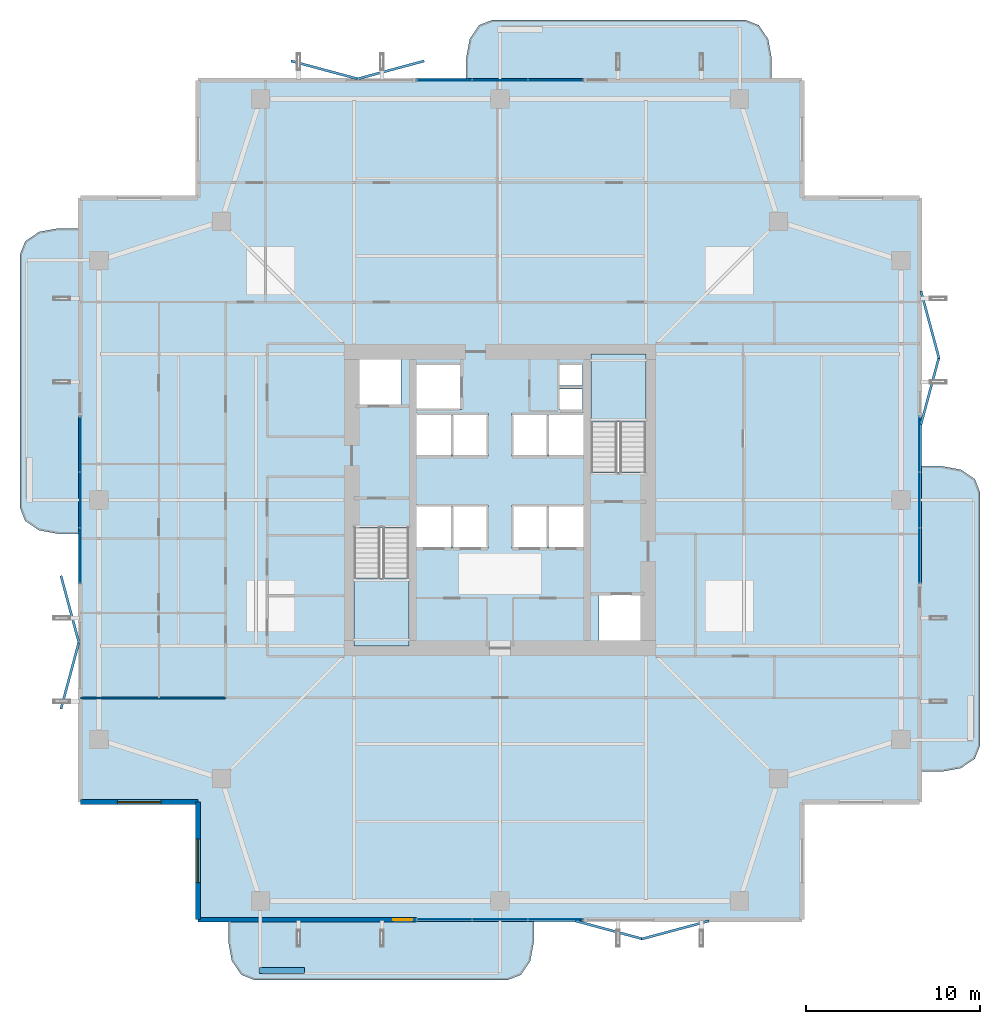
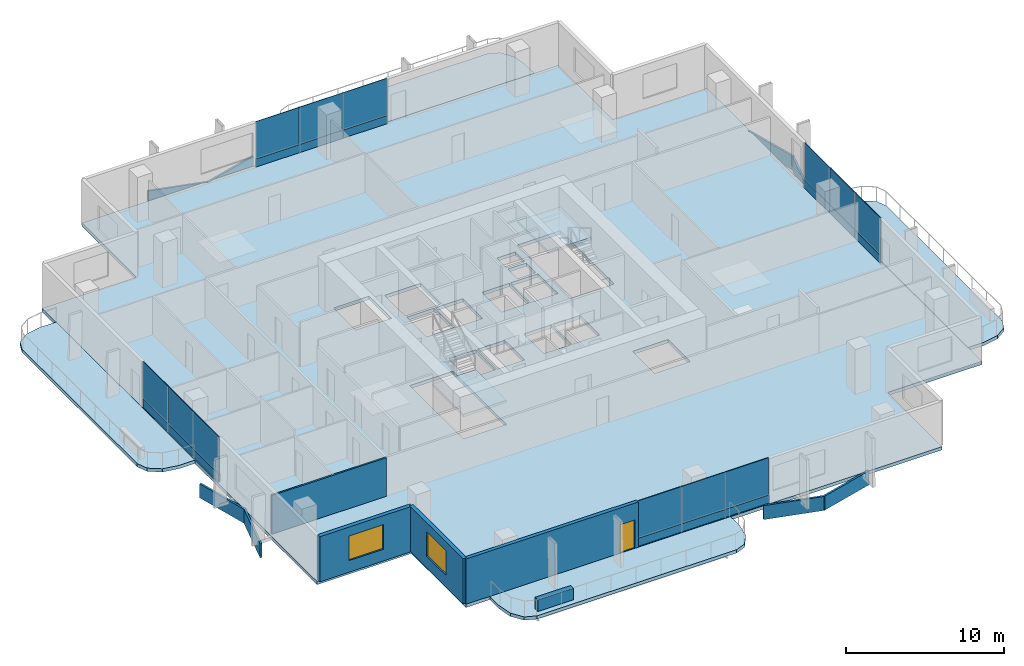
# One storey, part 18 of 25: 32 plates, 7 slabs, 5 walls, 2 windows, 1 door, 3 openings, 6 elements without a shape of their own.
"""IFC4 building model written with IfcOpenShell, lengths in metres."""

import ifcopenshell
import ifcopenshell.guid

model = None  # the IFC model being written
_history = None  # IfcOwnerHistory: only IFC2X3 demands one
_inside = {}  # id of a spatial element -> (the spatial element, [elements in it])
_under = {}  # id of a project, library or spatial element -> (it, [spatial elements below it])
_declared = {}  # id of a project -> (the project, [libraries it declares])
_typed = {}  # id of a type object -> (the type object, [elements of that type])
_made_of = {}  # id of a material, layer set ... -> (it, [elements and type objects made of it])


def new_model(schema):
    """Start an empty IFC model of exactly this schema.

    Asked for "IFC4X3", IfcOpenShell would pick the latest addendum, in which some entities
    have other attributes; the version numbers below select the first issue.
    IFC2X3 requires an IfcOwnerHistory on every rooted entity: one is made here for all.
    """
    global model, _history
    if schema == "IFC4X3":
        model = ifcopenshell.file(schema_version=(4, 3, 0, 0))
    else:
        model = ifcopenshell.file(schema=schema)
    _inside.clear()
    _under.clear()
    _declared.clear()
    _typed.clear()
    _made_of.clear()
    _history = None
    if model.schema == "IFC2X3":
        org = make("IfcOrganization", Name="unknown")
        user = make(
            "IfcPersonAndOrganization",
            ThePerson=make("IfcPerson", FamilyName="unknown"),
            TheOrganization=org,
        )
        app = make(
            "IfcApplication",
            ApplicationDeveloper=org,
            Version="unknown",
            ApplicationFullName="unknown",
            ApplicationIdentifier="unknown",
        )
        _history = make(
            "IfcOwnerHistory",
            OwningUser=user,
            OwningApplication=app,
            ChangeAction="ADDED",
            CreationDate=0,
        )
    return model


def make(cls, **values):
    """One entity of the class cls with the attributes given. An attribute that is None is left unset."""
    return model.create_entity(
        cls, **{name: value for name, value in values.items() if value is not None}
    )


def rooted(cls, **values):
    """An entity with a GlobalId (a new one), such as an element, a storey or a relation."""
    return make(cls, GlobalId=ifcopenshell.guid.new(), OwnerHistory=_history, **values)


def si_unit(unit_type, name, prefix=None):
    """IfcSIUnit, for example si_unit("LENGTHUNIT", "METRE", prefix="MILLI")."""
    return make("IfcSIUnit", UnitType=unit_type, Prefix=prefix, Name=name)


def assignment(units):
    """IfcUnitAssignment: the units of a project."""
    return None if units is None else make("IfcUnitAssignment", Units=units)


def point(xyz):
    """IfcCartesianPoint."""
    return None if xyz is None else make("IfcCartesianPoint", Coordinates=xyz)


def direction(xyz):
    """IfcDirection."""
    return None if xyz is None else make("IfcDirection", DirectionRatios=xyz)


def frame(location, z_axis=None, x_axis=None):
    """IfcAxis2Placement3D, a coordinate frame: its origin and axes. An axis left out is left unset."""
    return make(
        "IfcAxis2Placement3D",
        Location=point(location),
        Axis=direction(z_axis),
        RefDirection=direction(x_axis),
    )


def frame_2d(location, x_axis=None):
    """IfcAxis2Placement2D, a coordinate frame in the plane: its origin and x axis."""
    return make(
        "IfcAxis2Placement2D", Location=point(location), RefDirection=direction(x_axis)
    )


def origin():
    """The frame at (0, 0, 0) with its axes left unset."""
    return frame((0.0, 0.0, 0.0))


def origin_2d():
    """The frame at (0, 0) in the plane with its x axis left unset."""
    return frame_2d((0.0, 0.0))


def place(relative_to, where):
    """IfcLocalPlacement: puts the frame where relative to a parent placement (None: the world)."""
    return make(
        "IfcLocalPlacement", PlacementRelTo=relative_to, RelativePlacement=where
    )


def context(
    kind, dimensions, precision=None, world=None, true_north=None, identifier=None
):
    """IfcGeometricRepresentationContext, for example the 3D "Model" context."""
    return make(
        "IfcGeometricRepresentationContext",
        ContextIdentifier=identifier,
        ContextType=kind,
        CoordinateSpaceDimension=dimensions,
        Precision=precision,
        WorldCoordinateSystem=world,
        TrueNorth=true_north,
    )


def subcontext(parent, identifier, kind, view, scale=None):
    """IfcGeometricRepresentationSubContext, for example "Body" below "Model"."""
    return make(
        "IfcGeometricRepresentationSubContext",
        ContextIdentifier=identifier,
        ContextType=kind,
        ParentContext=parent,
        TargetScale=scale,
        TargetView=view,
    )


def project(units=None, contexts=None):
    """IfcProject with its units and contexts."""
    return rooted(
        "IfcProject",
        Name="project",
        RepresentationContexts=contexts,
        UnitsInContext=assignment(units),
    )


def spatial(cls, under=None, at=None, **own):
    """A site, building, storey or space (cls), placed at a placement, below another one or the project."""
    s = rooted(cls, ObjectPlacement=at, **own)
    if under is not None:
        _under.setdefault(under.id(), (under, []))[1].append(s)
    return s


def polyline(points):
    """IfcPolyline through the points."""
    return make("IfcPolyline", Points=[point(p) for p in points])


def profile(cls, at=None, kind="AREA", **sizes):
    """A parametric profile (cls). Its sizes go by their IFC names, for example OverallWidth=200.0."""
    return make(cls, ProfileType=kind, Position=at, **sizes)


def rectangle(**sizes):
    """IfcRectangleProfileDef."""
    return profile("IfcRectangleProfileDef", **sizes)


def outline(outer, holes=None, kind="AREA"):
    """IfcArbitraryClosedProfileDef: a profile drawn as a closed curve; with holes, ...WithVoids."""
    if holes is None:
        return make("IfcArbitraryClosedProfileDef", ProfileType=kind, OuterCurve=outer)
    return make(
        "IfcArbitraryProfileDefWithVoids",
        ProfileType=kind,
        OuterCurve=outer,
        InnerCurves=holes,
    )


def extrude(swept, where, along, depth):
    """IfcExtrudedAreaSolid: the profile swept, set in the frame where, extruded along a direction by depth."""
    return make(
        "IfcExtrudedAreaSolid",
        SweptArea=swept,
        Position=where,
        ExtrudedDirection=direction(along),
        Depth=depth,
    )


def shape(context_of_items, identifier, shape_type, items):
    """IfcShapeRepresentation: the items that make up one representation, for example the "Body"."""
    return make(
        "IfcShapeRepresentation",
        ContextOfItems=context_of_items,
        RepresentationIdentifier=identifier,
        RepresentationType=shape_type,
        Items=items,
    )


def material(Name=None, Category=None):
    """IfcMaterial."""
    return make("IfcMaterial", Name=Name, Category=Category)


def layer(
    of_material, thickness, ventilated=None, Name=None, Category=None, Priority=None
):
    """IfcMaterialLayer: one layer of a wall or slab, of a material (None: an air gap)."""
    return make(
        "IfcMaterialLayer",
        Material=of_material,
        LayerThickness=thickness,
        IsVentilated=ventilated,
        Name=Name,
        Category=Category,
        Priority=Priority,
    )


def layer_set(layers, Name=None):
    """IfcMaterialLayerSet."""
    return make("IfcMaterialLayerSet", MaterialLayers=layers, LayerSetName=Name)


def made_of(thing, what):
    """Note that an element or type object is made of a material, layer set ...; save() writes the relation."""
    if what is not None:
        _made_of.setdefault(what.id(), (what, []))[1].append(thing)
    return thing


def type_object(cls, material=None, **own):
    """A type object (cls), such as IfcWallType, which elements share."""
    return made_of(rooted(cls, **own), material)


def element(
    cls,
    number,
    at=None,
    inside=None,
    cuts=None,
    type_object=None,
    material=None,
    context=None,
    identifier="Body",
    shape_type=None,
    held_by="IfcProductDefinitionShape",
    body=None,
    shapes=None,
    **own,
):
    """One element of the class cls, such as IfcWall. Its Tag is "e" and its number.

    at: its placement. inside: the storey or other place that contains it. cuts: it is an
    opening in that element (IfcRelVoidsElement). A single representation is given by context,
    identifier, shape_type and body (its items); several are given by shapes. held_by: the class
    of the entity that holds the representations. save() writes the other relations.
    """
    e = rooted(cls, Tag="e%d" % number, ObjectPlacement=at, **own)
    if body is not None:
        shapes = [shape(context, identifier, shape_type, body)]
    if shapes is not None:
        e.Representation = make(held_by, Representations=shapes)
    if inside is not None:
        _inside.setdefault(inside.id(), (inside, []))[1].append(e)
    if cuts is not None:
        rooted(
            "IfcRelVoidsElement", RelatingBuildingElement=cuts, RelatedOpeningElement=e
        )
    if type_object is not None:
        _typed.setdefault(type_object.id(), (type_object, []))[1].append(e)
    return made_of(e, material)


def fill(opening, filler):
    """IfcRelFillsElement: the door or window that sits in an opening."""
    return rooted(
        "IfcRelFillsElement",
        RelatingOpeningElement=opening,
        RelatedBuildingElement=filler,
    )


def aggregate(whole, parts):
    """IfcRelAggregates: a whole, such as a stair, and the parts it consists of."""
    return rooted("IfcRelAggregates", RelatingObject=whole, RelatedObjects=parts)


def save(model, path):
    """Write the relations noted so far, then the file.

    IfcRelAggregates (storeys below a building ...), IfcRelContainedInSpatialStructure (elements
    in a storey), IfcRelDefinesByType, IfcRelAssociatesMaterial and IfcRelDeclares: one each for
    every whole, place, type object, material and project.
    """
    for whole, parts in _under.values():
        aggregate(whole, parts)
    for where, things in _inside.values():
        rooted(
            "IfcRelContainedInSpatialStructure",
            RelatedElements=things,
            RelatingStructure=where,
        )
    for kind, things in _typed.values():
        rooted("IfcRelDefinesByType", RelatedObjects=things, RelatingType=kind)
    for what, things in _made_of.values():
        rooted("IfcRelAssociatesMaterial", RelatedObjects=things, RelatingMaterial=what)
    for by, libraries in _declared.values():
        rooted("IfcRelDeclares", RelatingContext=by, RelatedDefinitions=libraries)
    model.write(path)


model = new_model("IFC4")

# Units and contexts
model_context = context("Model", 3, precision=1e-05, world=origin(), true_north=direction((0.0, 1.0)))
body_context = subcontext(model_context, "Body", "Model", "MODEL_VIEW")
ifc_project = project(units=[si_unit("LENGTHUNIT", "METRE"), si_unit("AREAUNIT", "SQUARE_METRE"), si_unit("VOLUMEUNIT", "CUBIC_METRE"), si_unit("PLANEANGLEUNIT", "RADIAN"), si_unit("MASSUNIT", "GRAM", prefix="KILO")], contexts=[model_context])

# Site, building, storey
site_placement = place(None, origin())
site = spatial("IfcSite", under=ifc_project, at=site_placement, CompositionType="ELEMENT")
building_placement = place(site_placement, origin())
building = spatial("IfcBuilding", under=site, at=building_placement, Name="Belovzor Exchange Tower", CompositionType="ELEMENT")
storey_placement = place(building_placement, frame((0.0, 0.0, 172.050048828125)))
storey = spatial("IfcBuildingStorey", under=building, at=storey_placement, Name="L42", CompositionType="ELEMENT", Elevation=172.050048828125)

# Slab
ifc_material_1 = material(Name="Concrete C40/50", Category="concrete")
ifc_layer_1 = layer(ifc_material_1, 0.2548828125)
ifc_layer_set_1 = layer_set([ifc_layer_1], Name="Concrete C40/50")
slab_type_1 = type_object("IfcSlabType", Name="Composite Waist Floor Deck Slab 255", PredefinedType="FLOOR", material=ifc_layer_set_1)
slab_1_placement = place(storey_placement, frame((0.0, 0.0, -0.255126953125)))
element("IfcSlab", 1, at=slab_1_placement, inside=storey, type_object=slab_type_1, Name="SL-F255 Structural Slab L42", PredefinedType="FLOOR", context=body_context, shape_type="SweptSolid", body=[
    extrude(outline(polyline([(11.39990234375, 4.5), (46.199951171875, 4.5), (46.199951171875, 11.39990234375), (53.10009765625, 11.39990234375), (53.10009765625, 46.199951171875), (46.199951171875, 46.199951171875), (46.199951171875, 53.10009765625), (11.39990234375, 53.10009765625), (11.39990234375, 46.199951171875), (4.5, 46.199951171875), (4.5, 11.39990234375), (11.39990234375, 11.39990234375), (11.39990234375, 4.5)]), holes=[polyline([(20.39990234375, 27.175048828125), (20.39990234375, 20.39990234375), (23.550048828125, 20.39990234375), (23.550048828125, 27.175048828125), (20.39990234375, 27.175048828125)]), polyline([(37.199951171875, 30.425048828125), (37.199951171875, 37.199951171875), (34.050048828125, 37.199951171875), (34.050048828125, 30.425048828125), (37.199951171875, 30.425048828125)]), polyline([(20.5, 34.199951171875), (23.10009765625, 34.199951171875), (23.10009765625, 37.0), (20.5, 37.0), (20.5, 34.199951171875)]), polyline([(34.5, 20.60009765625), (37.10009765625, 20.60009765625), (37.10009765625, 23.39990234375), (34.5, 23.39990234375), (34.5, 20.60009765625)]), polyline([(24.0, 34.0), (26.60009765625, 34.0), (26.60009765625, 36.60009765625), (24.0, 36.60009765625), (24.0, 34.0)]), polyline([(24.0, 26.0), (26.0, 26.0), (26.0, 28.5), (24.0, 28.5), (24.0, 26.0)]), polyline([(26.10009765625, 26.0), (28.10009765625, 26.0), (28.10009765625, 28.5), (26.10009765625, 28.5), (26.10009765625, 26.0)]), polyline([(29.5, 26.0), (31.5, 26.0), (31.5, 28.5), (29.5, 28.5), (29.5, 26.0)]), polyline([(31.60009765625, 26.0), (33.60009765625, 26.0), (33.60009765625, 28.5), (31.60009765625, 28.5), (31.60009765625, 26.0)]), polyline([(24.0, 31.300048828125), (26.0, 31.300048828125), (26.0, 33.800048828125), (24.0, 33.800048828125), (24.0, 31.300048828125)]), polyline([(26.10009765625, 31.300048828125), (28.10009765625, 31.300048828125), (28.10009765625, 33.800048828125), (26.10009765625, 33.800048828125), (26.10009765625, 31.300048828125)]), polyline([(29.5, 31.300048828125), (31.5, 31.300048828125), (31.5, 33.800048828125), (29.5, 33.800048828125), (29.5, 31.300048828125)]), polyline([(31.60009765625, 31.300048828125), (33.60009765625, 31.300048828125), (33.60009765625, 33.800048828125), (31.60009765625, 33.800048828125), (31.60009765625, 31.300048828125)]), polyline([(32.199951171875, 34.0), (33.550048828125, 34.0), (33.550048828125, 35.199951171875), (32.199951171875, 35.199951171875), (32.199951171875, 34.0)]), polyline([(32.199951171875, 35.39990234375), (33.550048828125, 35.39990234375), (33.550048828125, 36.60009765625), (32.199951171875, 36.60009765625), (32.199951171875, 35.39990234375)])]), origin(), (0.0, 0.0, 1.0), 0.255126953125),
])

# Curtain wall, plates
ifc_material_2 = material(Name="Anodised Aluminium Framing", Category="aluminium")
ifc_layer_2 = layer(ifc_material_2, 0.179931640625)
ifc_layer_set_2 = layer_set([ifc_layer_2], Name="Anodised Aluminium Framing")
curtain_wall_type = type_object("IfcCurtainWallType", Name="Recessed Loggia Low-Iron Triple-Glazed Curtain Wall", PredefinedType="NOTDEFINED", material=ifc_layer_set_2)
curtain_wall_1_placement = place(storey_placement, origin())
curtain_wall_1 = element("IfcCurtainWall", 2, at=curtain_wall_1_placement, inside=storey, type_object=curtain_wall_type, Name="CW3 Recessed Loggia Low-Iron Triple-Glazed Curtain Wall L42", PredefinedType="NOTDEFINED")
ifc_material_3 = material(Name="Solar-Control Triple Glazing", Category="glass")
ifc_layer_3 = layer(ifc_material_3, 0.0439453125)
ifc_layer_set_3 = layer_set([ifc_layer_3], Name="Solar-Control Triple Glazing")
plate_type_1 = type_object("IfcPlateType", Name="Insulated Solar Glazing Curtain Panel 44", PredefinedType="CURTAIN_PANEL", material=ifc_layer_set_3)
plate_1_placement = place(storey_placement, frame((32.0, 4.6298828125, 0.630859375), z_axis=(0.0, 0.0, 1.0), x_axis=(-1.0, 0.0, 0.0)))
plate_1 = element("IfcPlate", 3, at=plate_1_placement, type_object=plate_type_1, Name="GLZ-44 Glazed Curtain Panel 1", PredefinedType="CURTAIN_PANEL", context=body_context, shape_type="SweptSolid", body=[
    extrude(rectangle(XDim=3.18408203125, YDim=0.0439453125, at=origin_2d()), origin(), (0.0, 0.0, 1.0), 2.864013671875),
])
plate_2_placement = place(storey_placement, frame((28.800048828125, 4.6298828125, 0.630859375), z_axis=(0.0, 0.0, 1.0), x_axis=(-1.0, 0.0, 0.0)))
plate_2 = element("IfcPlate", 4, at=plate_2_placement, type_object=plate_type_1, Name="GLZ-44 Glazed Curtain Panel 2", PredefinedType="CURTAIN_PANEL", context=body_context, shape_type="SweptSolid", body=[
    extrude(rectangle(XDim=3.18408203125, YDim=0.0439453125, at=origin_2d()), origin(), (0.0, 0.0, 1.0), 2.864013671875),
])
plate_3_placement = place(storey_placement, frame((25.60009765625, 4.6298828125, 0.630859375), z_axis=(0.0, 0.0, 1.0), x_axis=(-1.0, 0.0, 0.0)))
plate_3 = element("IfcPlate", 5, at=plate_3_placement, type_object=plate_type_1, Name="GLZ-44 Glazed Curtain Panel 3", PredefinedType="CURTAIN_PANEL", context=body_context, shape_type="SweptSolid", body=[
    extrude(rectangle(XDim=3.18408203125, YDim=0.0439453125, at=origin_2d()), origin(), (0.0, 0.0, 1.0), 2.864013671875),
])

curtain_wall_2_placement = place(storey_placement, origin())
curtain_wall_2 = element("IfcCurtainWall", 6, at=curtain_wall_2_placement, inside=storey, type_object=curtain_wall_type, Name="CW3 Recessed Loggia Low-Iron Triple-Glazed Curtain Wall L42", PredefinedType="NOTDEFINED")
plate_4_placement = place(storey_placement, frame((25.60009765625, 52.969970703125, 0.630859375), z_axis=(0.0, 0.0, 1.0), x_axis=(1.0, 0.0, 0.0)))
plate_4 = element("IfcPlate", 7, at=plate_4_placement, type_object=plate_type_1, Name="GLZ-44 Glazed Curtain Panel 1", PredefinedType="CURTAIN_PANEL", context=body_context, shape_type="SweptSolid", body=[
    extrude(rectangle(XDim=3.18408203125, YDim=0.0439453125, at=origin_2d()), origin(), (0.0, 0.0, 1.0), 2.864013671875),
])
plate_5_placement = place(storey_placement, frame((28.800048828125, 52.969970703125, 0.630859375), z_axis=(0.0, 0.0, 1.0), x_axis=(1.0, 0.0, 0.0)))
plate_5 = element("IfcPlate", 8, at=plate_5_placement, type_object=plate_type_1, Name="GLZ-44 Glazed Curtain Panel 2", PredefinedType="CURTAIN_PANEL", context=body_context, shape_type="SweptSolid", body=[
    extrude(rectangle(XDim=3.18408203125, YDim=0.0439453125, at=origin_2d()), origin(), (0.0, 0.0, 1.0), 2.864013671875),
])
plate_6_placement = place(storey_placement, frame((32.0, 52.969970703125, 0.630859375), z_axis=(0.0, 0.0, 1.0), x_axis=(1.0, 0.0, 0.0)))
plate_6 = element("IfcPlate", 9, at=plate_6_placement, type_object=plate_type_1, Name="GLZ-44 Glazed Curtain Panel 3", PredefinedType="CURTAIN_PANEL", context=body_context, shape_type="SweptSolid", body=[
    extrude(rectangle(XDim=3.18408203125, YDim=0.0439453125, at=origin_2d()), origin(), (0.0, 0.0, 1.0), 2.864013671875),
])

curtain_wall_3_placement = place(storey_placement, origin())
curtain_wall_3 = element("IfcCurtainWall", 10, at=curtain_wall_3_placement, inside=storey, type_object=curtain_wall_type, Name="CW3 Recessed Loggia Low-Iron Triple-Glazed Curtain Wall L42", PredefinedType="NOTDEFINED")
plate_7_placement = place(storey_placement, frame((4.6298828125, 25.60009765625, 0.630859375), z_axis=(0.0, 0.0, 1.0), x_axis=(0.0, 1.0, 0.0)))
plate_7 = element("IfcPlate", 11, at=plate_7_placement, type_object=plate_type_1, Name="GLZ-44 Glazed Curtain Panel 1", PredefinedType="CURTAIN_PANEL", context=body_context, shape_type="SweptSolid", body=[
    extrude(rectangle(XDim=3.18408203125, YDim=0.0439453125, at=origin_2d()), origin(), (0.0, 0.0, 1.0), 2.864013671875),
])
plate_8_placement = place(storey_placement, frame((4.6298828125, 28.800048828125, 0.630859375), z_axis=(0.0, 0.0, 1.0), x_axis=(0.0, 1.0, 0.0)))
plate_8 = element("IfcPlate", 12, at=plate_8_placement, type_object=plate_type_1, Name="GLZ-44 Glazed Curtain Panel 2", PredefinedType="CURTAIN_PANEL", context=body_context, shape_type="SweptSolid", body=[
    extrude(rectangle(XDim=3.18408203125, YDim=0.0439453125, at=origin_2d()), origin(), (0.0, 0.0, 1.0), 2.864013671875),
])
plate_9_placement = place(storey_placement, frame((4.6298828125, 32.0, 0.630859375), z_axis=(0.0, 0.0, 1.0), x_axis=(0.0, 1.0, 0.0)))
plate_9 = element("IfcPlate", 13, at=plate_9_placement, type_object=plate_type_1, Name="GLZ-44 Glazed Curtain Panel 3", PredefinedType="CURTAIN_PANEL", context=body_context, shape_type="SweptSolid", body=[
    extrude(rectangle(XDim=3.18408203125, YDim=0.0439453125, at=origin_2d()), origin(), (0.0, 0.0, 1.0), 2.864013671875),
])

curtain_wall_4_placement = place(storey_placement, origin())
curtain_wall_4 = element("IfcCurtainWall", 14, at=curtain_wall_4_placement, inside=storey, type_object=curtain_wall_type, Name="CW3 Recessed Loggia Low-Iron Triple-Glazed Curtain Wall L42", PredefinedType="NOTDEFINED")
plate_10_placement = place(storey_placement, frame((52.969970703125, 32.0, 0.630859375), z_axis=(0.0, 0.0, 1.0), x_axis=(0.0, -1.0, 0.0)))
plate_10 = element("IfcPlate", 15, at=plate_10_placement, type_object=plate_type_1, Name="GLZ-44 Glazed Curtain Panel 1", PredefinedType="CURTAIN_PANEL", context=body_context, shape_type="SweptSolid", body=[
    extrude(rectangle(XDim=3.18408203125, YDim=0.0439453125, at=origin_2d()), origin(), (0.0, 0.0, 1.0), 2.864013671875),
])
plate_11_placement = place(storey_placement, frame((52.969970703125, 28.800048828125, 0.630859375), z_axis=(0.0, 0.0, 1.0), x_axis=(0.0, -1.0, 0.0)))
plate_11 = element("IfcPlate", 16, at=plate_11_placement, type_object=plate_type_1, Name="GLZ-44 Glazed Curtain Panel 2", PredefinedType="CURTAIN_PANEL", context=body_context, shape_type="SweptSolid", body=[
    extrude(rectangle(XDim=3.18408203125, YDim=0.0439453125, at=origin_2d()), origin(), (0.0, 0.0, 1.0), 2.864013671875),
])
plate_12_placement = place(storey_placement, frame((52.969970703125, 25.60009765625, 0.630859375), z_axis=(0.0, 0.0, 1.0), x_axis=(0.0, -1.0, 0.0)))
plate_12 = element("IfcPlate", 17, at=plate_12_placement, type_object=plate_type_1, Name="GLZ-44 Glazed Curtain Panel 3", PredefinedType="CURTAIN_PANEL", context=body_context, shape_type="SweptSolid", body=[
    extrude(rectangle(XDim=3.18408203125, YDim=0.0439453125, at=origin_2d()), origin(), (0.0, 0.0, 1.0), 2.864013671875),
])

# Plates
ifc_material_4 = material(Name="Extruded Architectural Terracotta", Category="masonry")
ifc_layer_4 = layer(ifc_material_4, 0.139892578125)
ifc_layer_set_4 = layer_set([ifc_layer_4], Name="Extruded Architectural Terracotta")
plate_type_2 = type_object("IfcPlateType", Name="Mid-Tower Folded Zigzag Terracotta Spandrel Louvre 120", PredefinedType="USERDEFINED", material=ifc_layer_set_4)
for number, where, z_axis, x_axis, name in (
    (18, (18.699951171875, 53.570068359375, -1.065185546875), (0.0, 0.0, 1.0), (0.965812803231, -0.259240485101, 0.0), "LVR-ZZ2 Zigzag Terracotta Spandrel Louvre L42 N1A"),
    (19, (22.5, 53.570068359375, -1.065185546875), (0.0, 0.0, 1.0), (0.965812803231, 0.259240485101, 0.0), "LVR-ZZ2 Zigzag Terracotta Spandrel Louvre L42 N1B"),
    (20, (4.030029296875, 18.699951171875, -1.065185546875), (0.0, 0.0, 1.0), (0.259240485101, 0.965812803231, 0.0), "LVR-ZZ2 Zigzag Terracotta Spandrel Louvre L42 W1A"),
    (21, (4.030029296875, 22.5, -1.065185546875), (0.0, 0.0, 1.0), (-0.259240485101, 0.965812803231, 0.0), "LVR-ZZ2 Zigzag Terracotta Spandrel Louvre L42 W1B"),
    (22, (35.10009765625, 4.030029296875, -1.065185546875), (0.0, 0.0, 1.0), (0.965812803231, -0.259240485101, 0.0), "LVR-ZZ2 Zigzag Terracotta Spandrel Louvre L42 S2A"),
    (23, (38.89990234375, 4.030029296875, -1.065185546875), (0.0, 0.0, 1.0), (0.965812803231, 0.259240485101, 0.0), "LVR-ZZ2 Zigzag Terracotta Spandrel Louvre L42 S2B"),
    (24, (53.570068359375, 35.10009765625, -1.065185546875), (0.0, 0.0, 1.0), (0.259240485101, 0.965812803231, 0.0), "LVR-ZZ2 Zigzag Terracotta Spandrel Louvre L42 E2A"),
    (25, (53.570068359375, 38.89990234375, -1.065185546875), (0.0, 0.0, 1.0), (-0.259240485101, 0.965812803231, 0.0), "LVR-ZZ2 Zigzag Terracotta Spandrel Louvre L42 E2B"),
):
    element("IfcPlate", number, at=place(storey_placement, frame(where, z_axis=z_axis, x_axis=x_axis)), inside=storey, type_object=plate_type_2, Name=name, ObjectType="SPANDREL_LOUVRE", PredefinedType="USERDEFINED", context=body_context, shape_type="SweptSolid", body=[
        extrude(rectangle(XDim=4.014892578125, YDim=0.139892578125, at=origin_2d()), origin(), (0.0, 0.0, 1.0), 1.080078125),
    ])

# Stair, slab
ifc_material_5 = material(Name="Concrete C40/50", Category="concrete")
stair_type = type_object("IfcStairType", Name="Reinforced Concrete Dogleg Escape Stair 1350", PredefinedType="HALF_TURN_STAIR", material=ifc_material_5)
stair_1_placement = place(storey_placement, origin())
stair_1 = element("IfcStair", 26, at=stair_1_placement, inside=storey, type_object=stair_type, Name="L42 ST-1", PredefinedType="HALF_TURN_STAIR")
ifc_material_6 = material(Name="Concrete C40/50", Category="concrete")
ifc_layer_5 = layer(ifc_material_6, 0.199951171875)
ifc_layer_set_5 = layer_set([ifc_layer_5], Name="Concrete C40/50")
slab_type_2 = type_object("IfcSlabType", Name="Reinforced Concrete Stair Half-Landing Slab 200", PredefinedType="LANDING", material=ifc_layer_set_5)
slab_2_placement = place(storey_placement, frame((0.0, 0.0, 1.675048828125)))
slab_2 = element("IfcSlab", 27, at=slab_2_placement, type_object=slab_type_2, Name="ST-1 landing 1", PredefinedType="LANDING", context=body_context, shape_type="SweptSolid", body=[
    extrude(outline(polyline([(20.39990234375, 24.300048828125), (20.39990234375, 20.39990234375), (23.550048828125, 20.39990234375), (23.550048828125, 24.300048828125), (20.39990234375, 24.300048828125)])), origin(), (0.0, 0.0, 1.0), 0.199951171875),
])
aggregate(stair_1, [slab_2])

stair_2_placement = place(storey_placement, origin())
stair_2 = element("IfcStair", 28, at=stair_2_placement, inside=storey, type_object=stair_type, Name="L42 ST-2", PredefinedType="HALF_TURN_STAIR")
slab_3_placement = place(storey_placement, frame((0.0, 0.0, 1.675048828125)))
slab_3 = element("IfcSlab", 29, at=slab_3_placement, type_object=slab_type_2, Name="ST-2 landing 1", PredefinedType="LANDING", context=body_context, shape_type="SweptSolid", body=[
    extrude(outline(polyline([(37.199951171875, 33.300048828125), (37.199951171875, 37.199951171875), (34.050048828125, 37.199951171875), (34.050048828125, 33.300048828125), (37.199951171875, 33.300048828125)])), origin(), (0.0, 0.0, 1.0), 0.199951171875),
])
aggregate(stair_2, [slab_3])

# Plate
ifc_material_7 = material(Name="Extruded Architectural Terracotta", Category="masonry")
ifc_layer_6 = layer(ifc_material_7, 0.090087890625)
ifc_layer_set_6 = layer_set([ifc_layer_6], Name="Extruded Architectural Terracotta")
plate_type_3 = type_object("IfcPlateType", Name="Terracotta Shadow-Box Spandrel Panel 90", PredefinedType="CURTAIN_PANEL", material=ifc_layer_set_6)
plate_13_placement = place(storey_placement, frame((32.0, 4.6298828125, 0.00048828125), z_axis=(0.0, 0.0, 1.0), x_axis=(-1.0, 0.0, 0.0)))
plate_13 = element("IfcPlate", 30, at=plate_13_placement, type_object=plate_type_3, Name="SPD-90 Spandrel Panel 1", PredefinedType="CURTAIN_PANEL", context=body_context, shape_type="SweptSolid", body=[
    extrude(rectangle(XDim=3.18408203125, YDim=0.090087890625, at=origin_2d()), origin(), (0.0, 0.0, 1.0), 0.626953125),
])

plate_14_placement = place(storey_placement, frame((28.800048828125, 4.6298828125, 0.00048828125), z_axis=(0.0, 0.0, 1.0), x_axis=(-1.0, 0.0, 0.0)))
plate_14 = element("IfcPlate", 31, at=plate_14_placement, type_object=plate_type_3, Name="SPD-90 Spandrel Panel 2", PredefinedType="CURTAIN_PANEL", context=body_context, shape_type="SweptSolid", body=[
    extrude(rectangle(XDim=3.18408203125, YDim=0.090087890625, at=origin_2d()), origin(), (0.0, 0.0, 1.0), 0.626953125),
])

plate_15_placement = place(storey_placement, frame((25.60009765625, 4.6298828125, 0.00048828125), z_axis=(0.0, 0.0, 1.0), x_axis=(-1.0, 0.0, 0.0)))
plate_15 = element("IfcPlate", 32, at=plate_15_placement, type_object=plate_type_3, Name="SPD-90 Spandrel Panel 3", PredefinedType="CURTAIN_PANEL", context=body_context, shape_type="SweptSolid", body=[
    extrude(rectangle(XDim=3.18408203125, YDim=0.090087890625, at=origin_2d()), origin(), (0.0, 0.0, 1.0), 0.626953125),
])

aggregate(curtain_wall_1, [plate_13, plate_1, plate_14, plate_2, plate_15, plate_3])

plate_16_placement = place(storey_placement, frame((25.60009765625, 52.969970703125, 0.00048828125), z_axis=(0.0, 0.0, 1.0), x_axis=(1.0, 0.0, 0.0)))
plate_16 = element("IfcPlate", 33, at=plate_16_placement, type_object=plate_type_3, Name="SPD-90 Spandrel Panel 1", PredefinedType="CURTAIN_PANEL", context=body_context, shape_type="SweptSolid", body=[
    extrude(rectangle(XDim=3.18408203125, YDim=0.090087890625, at=origin_2d()), origin(), (0.0, 0.0, 1.0), 0.626953125),
])

plate_17_placement = place(storey_placement, frame((28.800048828125, 52.969970703125, 0.00048828125), z_axis=(0.0, 0.0, 1.0), x_axis=(1.0, 0.0, 0.0)))
plate_17 = element("IfcPlate", 34, at=plate_17_placement, type_object=plate_type_3, Name="SPD-90 Spandrel Panel 2", PredefinedType="CURTAIN_PANEL", context=body_context, shape_type="SweptSolid", body=[
    extrude(rectangle(XDim=3.18408203125, YDim=0.090087890625, at=origin_2d()), origin(), (0.0, 0.0, 1.0), 0.626953125),
])

plate_18_placement = place(storey_placement, frame((32.0, 52.969970703125, 0.00048828125), z_axis=(0.0, 0.0, 1.0), x_axis=(1.0, 0.0, 0.0)))
plate_18 = element("IfcPlate", 35, at=plate_18_placement, type_object=plate_type_3, Name="SPD-90 Spandrel Panel 3", PredefinedType="CURTAIN_PANEL", context=body_context, shape_type="SweptSolid", body=[
    extrude(rectangle(XDim=3.18408203125, YDim=0.090087890625, at=origin_2d()), origin(), (0.0, 0.0, 1.0), 0.626953125),
])

aggregate(curtain_wall_2, [plate_16, plate_4, plate_17, plate_5, plate_18, plate_6])

plate_19_placement = place(storey_placement, frame((4.6298828125, 25.60009765625, 0.00048828125), z_axis=(0.0, 0.0, 1.0), x_axis=(0.0, 1.0, 0.0)))
plate_19 = element("IfcPlate", 36, at=plate_19_placement, type_object=plate_type_3, Name="SPD-90 Spandrel Panel 1", PredefinedType="CURTAIN_PANEL", context=body_context, shape_type="SweptSolid", body=[
    extrude(rectangle(XDim=3.18408203125, YDim=0.090087890625, at=origin_2d()), origin(), (0.0, 0.0, 1.0), 0.626953125),
])

plate_20_placement = place(storey_placement, frame((4.6298828125, 28.800048828125, 0.00048828125), z_axis=(0.0, 0.0, 1.0), x_axis=(0.0, 1.0, 0.0)))
plate_20 = element("IfcPlate", 37, at=plate_20_placement, type_object=plate_type_3, Name="SPD-90 Spandrel Panel 2", PredefinedType="CURTAIN_PANEL", context=body_context, shape_type="SweptSolid", body=[
    extrude(rectangle(XDim=3.18408203125, YDim=0.090087890625, at=origin_2d()), origin(), (0.0, 0.0, 1.0), 0.626953125),
])

plate_21_placement = place(storey_placement, frame((4.6298828125, 32.0, 0.00048828125), z_axis=(0.0, 0.0, 1.0), x_axis=(0.0, 1.0, 0.0)))
plate_21 = element("IfcPlate", 38, at=plate_21_placement, type_object=plate_type_3, Name="SPD-90 Spandrel Panel 3", PredefinedType="CURTAIN_PANEL", context=body_context, shape_type="SweptSolid", body=[
    extrude(rectangle(XDim=3.18408203125, YDim=0.090087890625, at=origin_2d()), origin(), (0.0, 0.0, 1.0), 0.626953125),
])

aggregate(curtain_wall_3, [plate_19, plate_7, plate_20, plate_8, plate_21, plate_9])

plate_22_placement = place(storey_placement, frame((52.969970703125, 32.0, 0.00048828125), z_axis=(0.0, 0.0, 1.0), x_axis=(0.0, -1.0, 0.0)))
plate_22 = element("IfcPlate", 39, at=plate_22_placement, type_object=plate_type_3, Name="SPD-90 Spandrel Panel 1", PredefinedType="CURTAIN_PANEL", context=body_context, shape_type="SweptSolid", body=[
    extrude(rectangle(XDim=3.18408203125, YDim=0.090087890625, at=origin_2d()), origin(), (0.0, 0.0, 1.0), 0.626953125),
])

plate_23_placement = place(storey_placement, frame((52.969970703125, 28.800048828125, 0.00048828125), z_axis=(0.0, 0.0, 1.0), x_axis=(0.0, -1.0, 0.0)))
plate_23 = element("IfcPlate", 40, at=plate_23_placement, type_object=plate_type_3, Name="SPD-90 Spandrel Panel 2", PredefinedType="CURTAIN_PANEL", context=body_context, shape_type="SweptSolid", body=[
    extrude(rectangle(XDim=3.18408203125, YDim=0.090087890625, at=origin_2d()), origin(), (0.0, 0.0, 1.0), 0.626953125),
])

plate_24_placement = place(storey_placement, frame((52.969970703125, 25.60009765625, 0.00048828125), z_axis=(0.0, 0.0, 1.0), x_axis=(0.0, -1.0, 0.0)))
plate_24 = element("IfcPlate", 41, at=plate_24_placement, type_object=plate_type_3, Name="SPD-90 Spandrel Panel 3", PredefinedType="CURTAIN_PANEL", context=body_context, shape_type="SweptSolid", body=[
    extrude(rectangle(XDim=3.18408203125, YDim=0.090087890625, at=origin_2d()), origin(), (0.0, 0.0, 1.0), 0.626953125),
])

aggregate(curtain_wall_4, [plate_22, plate_10, plate_23, plate_11, plate_24, plate_12])

# Slabs
ifc_material_8 = material(Name="Concrete C40/50", Category="concrete")
ifc_layer_7 = layer(ifc_material_8, 0.25)
ifc_layer_set_7 = layer_set([ifc_layer_7], Name="Concrete C40/50")
slab_type_3 = type_object("IfcSlabType", Name="Thermally Broken Planted Balcony Slab 250", PredefinedType="FLOOR", material=ifc_layer_set_7)
slab_4_placement = place(storey_placement, frame((0.0, 0.0, -0.25)))
element("IfcSlab", 42, at=slab_4_placement, inside=storey, type_object=slab_type_3, Name="SL-BAL220 Planted Balcony Loggia L42 South", PredefinedType="FLOOR", context=body_context, shape_type="SweptSolid", body=[
    extrude(outline(polyline([(13.14990234375, 4.514892578125), (13.14990234375, 3.35009765625), (13.35107421875, 2.25), (13.89990234375, 1.445068359375), (14.64990234375, 1.14990234375), (29.25, 1.14990234375), (30.0, 1.445068359375), (30.549072265625, 2.25), (30.75, 3.35009765625), (30.75, 4.514892578125), (13.14990234375, 4.514892578125)])), origin(), (0.0, 0.0, 1.0), 0.25),
])
slab_5_placement = place(storey_placement, frame((0.0, 0.0, -0.25)))
element("IfcSlab", 43, at=slab_5_placement, inside=storey, type_object=slab_type_3, Name="SL-BAL220 Planted Balcony Loggia L42 North", PredefinedType="FLOOR", context=body_context, shape_type="SweptSolid", body=[
    extrude(outline(polyline([(44.449951171875, 53.0849609375), (44.449951171875, 54.25), (44.2490234375, 55.35009765625), (43.699951171875, 56.155029296875), (42.949951171875, 56.449951171875), (28.35009765625, 56.449951171875), (27.60009765625, 56.155029296875), (27.051025390625, 55.35009765625), (26.85009765625, 54.25), (26.85009765625, 53.0849609375), (44.449951171875, 53.0849609375)])), origin(), (0.0, 0.0, 1.0), 0.25),
])
slab_6_placement = place(storey_placement, frame((0.0, 0.0, -0.25)))
element("IfcSlab", 44, at=slab_6_placement, inside=storey, type_object=slab_type_3, Name="SL-BAL220 Planted Balcony Loggia L42 East", PredefinedType="FLOOR", context=body_context, shape_type="SweptSolid", body=[
    extrude(outline(polyline([(53.0849609375, 13.14990234375), (54.25, 13.14990234375), (55.35009765625, 13.35107421875), (56.155029296875, 13.89990234375), (56.449951171875, 14.64990234375), (56.449951171875, 29.25), (56.155029296875, 30.0), (55.35009765625, 30.549072265625), (54.25, 30.75), (53.0849609375, 30.75), (53.0849609375, 13.14990234375)])), origin(), (0.0, 0.0, 1.0), 0.25),
])
slab_7_placement = place(storey_placement, frame((0.0, 0.0, -0.25)))
element("IfcSlab", 45, at=slab_7_placement, inside=storey, type_object=slab_type_3, Name="SL-BAL220 Planted Balcony Loggia L42 West", PredefinedType="FLOOR", context=body_context, shape_type="SweptSolid", body=[
    extrude(outline(polyline([(4.514892578125, 44.449951171875), (3.35009765625, 44.449951171875), (2.25, 44.2490234375), (1.445068359375, 43.699951171875), (1.14990234375, 42.949951171875), (1.14990234375, 28.35009765625), (1.445068359375, 27.60009765625), (2.25, 27.051025390625), (3.35009765625, 26.85009765625), (4.514892578125, 26.85009765625), (4.514892578125, 44.449951171875)])), origin(), (0.0, 0.0, 1.0), 0.25),
])

# Wall
ifc_material_9 = material(Name="Acoustic Plasterboard on Galvanised Studs", Category="gypsum")
ifc_layer_8 = layer(ifc_material_9, 0.1201171875)
ifc_layer_set_8 = layer_set([ifc_layer_8], Name="Acoustic Plasterboard on Galvanised Studs")
wall_type_1 = type_object("IfcWallType", Name="Acoustic Double-Stud Partition Wall 120", PredefinedType="PARTITIONING", material=ifc_layer_set_8)
wall_1_placement = place(storey_placement, frame((4.6298828125, 17.39990234375, 0.0), z_axis=(0.0, 0.0, 1.0), x_axis=(1.0, 0.0, 0.0)))
element("IfcWall", 46, at=wall_1_placement, inside=storey, type_object=wall_type_1, Name="W-P120 Partition Wall W-L42-END-SW", PredefinedType="PARTITIONING", context=body_context, shape_type="SweptSolid", body=[
    extrude(rectangle(XDim=8.3701171875, YDim=0.1201171875, at=frame_2d((4.18505859375, 0.0))), origin(), (0.0, 0.0, 1.0), 2.97998046875),
])

# Wall, opening, window
ifc_material_10 = material(Name="Precast concrete C40/50", Category="concrete")
ifc_layer_9 = layer(ifc_material_10, 0.280029296875)
ifc_layer_set_9 = layer_set([ifc_layer_9], Name="Precast concrete C40/50")
wall_type_2 = type_object("IfcWallType", Name="Precast Concrete Notched Corner Frame Wall 280", PredefinedType="SOLIDWALL", material=ifc_layer_set_9)
wall_2_placement = place(storey_placement, frame((11.39990234375, 4.6298828125, 0.0), z_axis=(0.0, 0.0, 1.0), x_axis=(0.0, 1.0, 0.0)))
wall_2 = element("IfcWall", 47, at=wall_2_placement, inside=storey, type_object=wall_type_2, Name="W-CRN280 Precast Concrete Notched Corner Frame Wall 280 L42", PredefinedType="SOLIDWALL", context=body_context, shape_type="SweptSolid", body=[
    extrude(rectangle(XDim=6.77001953125, YDim=0.280029296875, at=frame_2d((3.385009765625, 0.0))), origin(), (0.0, 0.0, 1.0), 3.494873046875),
])
opening_1_placement = place(wall_2_placement, frame((2.135009765625, 0.0, 0.89990234375)))
opening_1 = element("IfcOpeningElement", 48, at=opening_1_placement, cuts=wall_2, Name="Opening WN-CRN250", PredefinedType="OPENING", context=body_context, shape_type="SweptSolid", body=[
    extrude(rectangle(XDim=2.5, YDim=1.89990234375, at=frame_2d((1.25, 0.949951171875))), frame((0.0, 0.14990234375, 0.0), z_axis=(0.0, -1.0, 0.0), x_axis=(1.0, 0.0, 0.0)), (0.0, 0.0, 1.0), 0.300048828125),
])
ifc_material_11 = material(Name="Thermally Broken Aluminium and Triple Glazing", Category="aluminium")
window_type = type_object("IfcWindowType", Name="Streamline Moderne Corner Wrap Ribbon Window 2500x1900", PartitioningType="SINGLE_PANEL", PredefinedType="WINDOW", material=ifc_material_11)
window_1_placement = place(opening_1_placement, origin())
window_1 = element("IfcWindow", 49, at=window_1_placement, inside=storey, type_object=window_type, Name="WN-CRN250 Streamline Moderne Corner Wrap Ribbon Window 2500x1900", OverallHeight=1.89990234375, OverallWidth=2.5, PartitioningType="SINGLE_PANEL", PredefinedType="WINDOW", context=body_context, shape_type="SweptSolid", body=[
    extrude(rectangle(XDim=2.5, YDim=1.89990234375, at=frame_2d((1.25, 0.949951171875))), frame((0.0, 0.030029296875, 0.0), z_axis=(0.0, -1.0, 0.0), x_axis=(1.0, 0.0, 0.0)), (0.0, 0.0, 1.0), 0.06005859375),
])
fill(opening_1, window_1)

wall_3_placement = place(storey_placement, frame((11.39990234375, 11.39990234375, 0.0), z_axis=(0.0, 0.0, 1.0), x_axis=(-1.0, 0.0, 0.0)))
wall_3 = element("IfcWall", 50, at=wall_3_placement, inside=storey, type_object=wall_type_2, Name="W-CRN280 Precast Concrete Notched Corner Frame Wall 280 L42", PredefinedType="SOLIDWALL", context=body_context, shape_type="SweptSolid", body=[
    extrude(rectangle(XDim=6.77001953125, YDim=0.280029296875, at=frame_2d((3.385009765625, 0.0))), origin(), (0.0, 0.0, 1.0), 3.494873046875),
])
opening_2_placement = place(wall_3_placement, frame((2.135009765625, 0.0, 0.89990234375)))
opening_2 = element("IfcOpeningElement", 51, at=opening_2_placement, cuts=wall_3, Name="Opening WN-CRN250", PredefinedType="OPENING", context=body_context, shape_type="SweptSolid", body=[
    extrude(rectangle(XDim=2.5, YDim=1.89990234375, at=frame_2d((1.25, 0.949951171875))), frame((0.0, 0.14990234375, 0.0), z_axis=(0.0, -1.0, 0.0), x_axis=(1.0, 0.0, 0.0)), (0.0, 0.0, 1.0), 0.300048828125),
])
window_2_placement = place(opening_2_placement, origin())
window_2 = element("IfcWindow", 52, at=window_2_placement, inside=storey, type_object=window_type, Name="WN-CRN250 Streamline Moderne Corner Wrap Ribbon Window 2500x1900", OverallHeight=1.89990234375, OverallWidth=2.5, PartitioningType="SINGLE_PANEL", PredefinedType="WINDOW", context=body_context, shape_type="SweptSolid", body=[
    extrude(rectangle(XDim=2.5, YDim=1.89990234375, at=frame_2d((1.25, 0.949951171875))), frame((0.0, 0.030029296875, 0.0), z_axis=(0.0, -1.0, 0.0), x_axis=(1.0, 0.0, 0.0)), (0.0, 0.0, 1.0), 0.06005859375),
])
fill(opening_2, window_2)

# Wall, opening, door
ifc_material_12 = material(Name="Precast concrete C40/50", Category="concrete")
ifc_layer_10 = layer(ifc_material_12, 0.260009765625)
ifc_layer_set_10 = layer_set([ifc_layer_10], Name="Precast concrete C40/50")
wall_type_3 = type_object("IfcWallType", Name="Precast Concrete Perimeter Loggia Frame Wall 260", PredefinedType="SOLIDWALL", material=ifc_layer_set_10)
wall_4_placement = place(storey_placement, frame((24.0, 4.6298828125, 0.0), z_axis=(0.0, 0.0, 1.0), x_axis=(-1.0, 0.0, 0.0)))
wall_4 = element("IfcWall", 53, at=wall_4_placement, inside=storey, type_object=wall_type_3, Name="W-EXT260 Precast Concrete Perimeter Loggia Frame Wall 260 L42", PredefinedType="SOLIDWALL", context=body_context, shape_type="SweptSolid", body=[
    extrude(rectangle(XDim=12.60009765625, YDim=0.260009765625, at=frame_2d((6.300048828125, 0.0))), origin(), (0.0, 0.0, 1.0), 3.494873046875),
])
opening_3_placement = place(wall_4_placement, frame((0.25, 0.0, 0.0)))
opening_3 = element("IfcOpeningElement", 54, at=opening_3_placement, cuts=wall_4, Name="Opening D-BAL110", PredefinedType="OPENING", context=body_context, shape_type="SweptSolid", body=[
    extrude(rectangle(XDim=1.10009765625, YDim=2.199951171875, at=frame_2d((0.550048828125, 1.10009765625))), frame((0.0, 0.139892578125, 0.0), z_axis=(0.0, -1.0, 0.0), x_axis=(1.0, 0.0, 0.0)), (0.0, 0.0, 1.0), 0.280029296875),
])
ifc_material_13 = material(Name="Thermally Broken Anodised Aluminium and Laminated Glass", Category="aluminium")
door_type = type_object("IfcDoorType", Name="Planted Loggia Terrace Glazed Door 1100x2200", OperationType="SINGLE_SWING_LEFT", PredefinedType="DOOR", material=ifc_material_13)
door_placement = place(opening_3_placement, origin())
door = element("IfcDoor", 55, at=door_placement, inside=storey, type_object=door_type, Name="D-BAL110 Balcony Terrace Door L42 S", OperationType="SINGLE_SWING_LEFT", OverallHeight=2.199951171875, OverallWidth=1.10009765625, PredefinedType="DOOR", context=body_context, shape_type="SweptSolid", body=[
    extrude(rectangle(XDim=1.10009765625, YDim=2.199951171875, at=frame_2d((0.550048828125, 1.10009765625))), frame((0.0, 0.02490234375, 0.0), z_axis=(0.0, -1.0, 0.0), x_axis=(1.0, 0.0, 0.0)), (0.0, 0.0, 1.0), 0.050048828125),
])
fill(opening_3, door)

# Wall
ifc_material_14 = material(Name="Precast concrete C40/50", Category="concrete")
ifc_layer_11 = layer(ifc_material_14, 0.35009765625)
ifc_layer_set_11 = layer_set([ifc_layer_11], Name="Precast concrete C40/50")
wall_type_4 = type_object("IfcWallType", Name="Precast Concrete Structural Tree Planter Trough 350", PredefinedType="PARAPET", material=ifc_layer_set_11)
wall_5_placement = place(storey_placement, frame((14.949951171875, 1.699951171875, 0.0), z_axis=(0.0, 0.0, 1.0), x_axis=(1.0, 0.0, 0.0)))
element("IfcWall", 56, at=wall_5_placement, inside=storey, type_object=wall_type_4, Name="PT-350 Precast Concrete Structural Tree Planter Trough 350 L42", PredefinedType="PARAPET", context=body_context, shape_type="SweptSolid", body=[
    extrude(rectangle(XDim=2.60009765625, YDim=0.35009765625, at=frame_2d((1.300048828125, 0.0))), origin(), (0.0, 0.0, 1.0), 0.89990234375),
])

save(model, "model.ifc")
